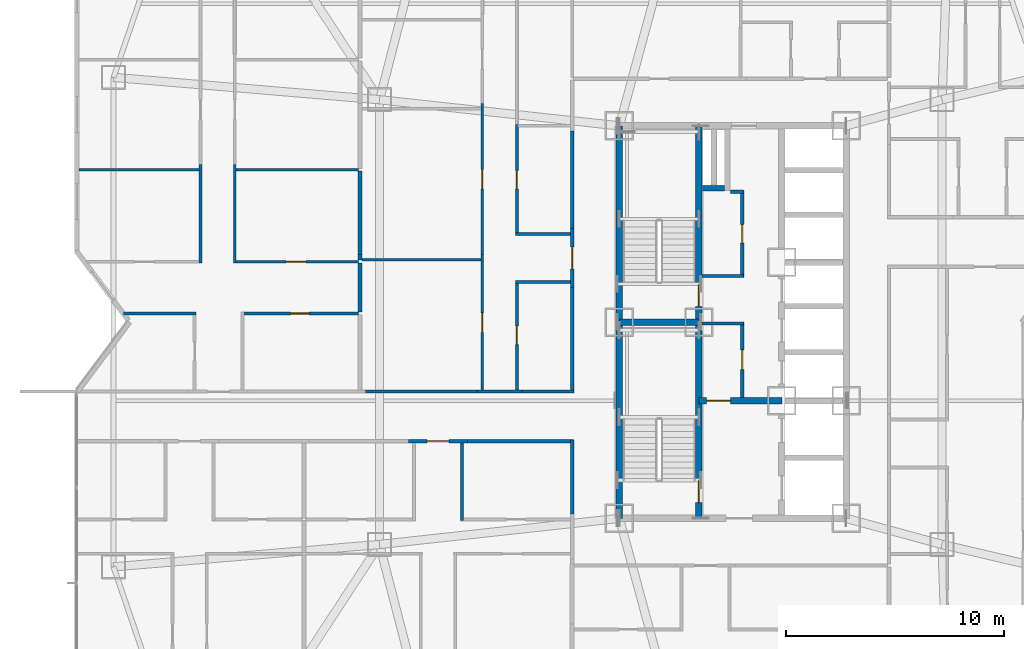
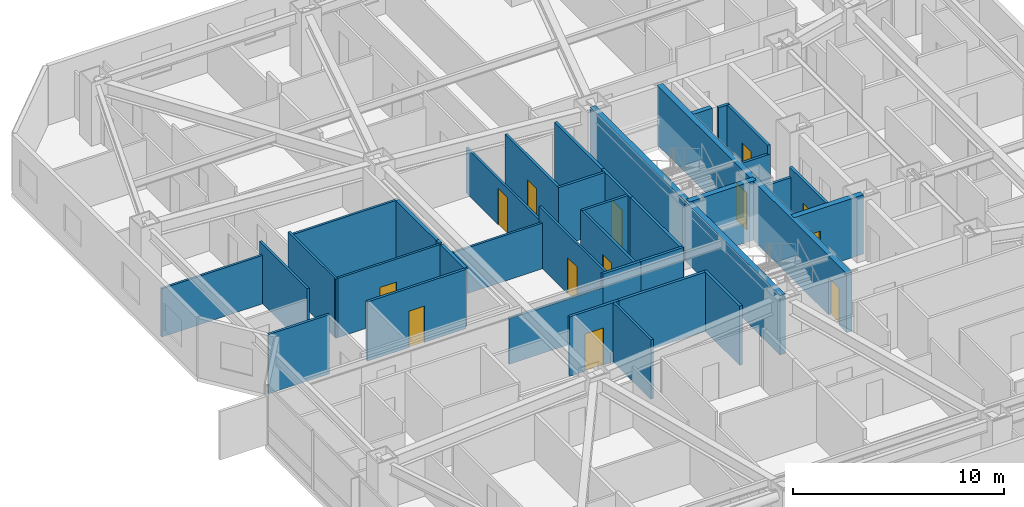
# One storey, part 13 of 19: 39 walls, 13 doors, 13 openings.
"""IFC4 building model written with IfcOpenShell, lengths in metres."""

from ifc_helpers import new_model, si_unit, direction, frame, frame_2d, origin, place, context, subcontext, project, spatial, rectangle, extrude, material, layer, layer_set, type_object, element, fill, save


model = new_model("IFC4")

# Units and contexts
model_context = context("Model", 3, precision=1e-05, world=origin(), true_north=direction((0.0, 1.0)))
body_context = subcontext(model_context, "Body", "Model", "MODEL_VIEW")
ifc_project = project(units=[si_unit("LENGTHUNIT", "METRE"), si_unit("AREAUNIT", "SQUARE_METRE"), si_unit("VOLUMEUNIT", "CUBIC_METRE"), si_unit("PLANEANGLEUNIT", "RADIAN"), si_unit("MASSUNIT", "GRAM", prefix="KILO")], contexts=[model_context])

# Site, building, storey
site_placement = place(None, origin())
site = spatial("IfcSite", under=ifc_project, at=site_placement, CompositionType="ELEMENT")
building_placement = place(site_placement, origin())
building = spatial("IfcBuilding", under=site, at=building_placement, Name="Khamvora Tower", CompositionType="ELEMENT")
storey_placement = place(building_placement, frame((0.0, 0.0, 58.85009765625)))
storey = spatial("IfcBuildingStorey", under=building, at=storey_placement, Name="L14", CompositionType="ELEMENT", Elevation=58.85009765625)

# Walls
ifc_material_1 = material(Name="Concrete C50/60", Category="concrete")
ifc_layer_1 = layer(ifc_material_1, 0.300048828125)
ifc_layer_set_1 = layer_set([ifc_layer_1], Name="Concrete C50/60")
wall_type_1 = type_object("IfcWallType", Name="WAL-CORE-300", PredefinedType="SHEAR", material=ifc_layer_set_1)
for number, where, z_axis, x_axis, name in (
    (1, (29.0, 19.0, 0.0), (0.0, 0.0, 1.0), (0.0, 1.0, 0.0), "L14 central core west south wall"),
    (2, (29.0, 28.0, 0.0), (0.0, 0.0, 1.0), (0.0, 1.0, 0.0), "L14 central core west north wall"),
):
    element("IfcWall", number, at=place(storey_placement, frame(where, z_axis=z_axis, x_axis=x_axis)), inside=storey, type_object=wall_type_1, Name=name, PredefinedType="SHEAR", context=body_context, shape_type="SweptSolid", body=[
        extrude(rectangle(XDim=9.0, YDim=0.300048828125, at=frame_2d((4.5, 0.0))), origin(), (0.0, 0.0, 1.0), 3.429931640625),
    ])

# Wall, opening, door
wall_1_placement = place(storey_placement, frame((32.64990234375, 19.0, 0.0), z_axis=(0.0, 0.0, 1.0), x_axis=(0.0, 1.0, 0.0)))
wall_1 = element("IfcWall", 3, at=wall_1_placement, inside=storey, type_object=wall_type_1, Name="L14 central core stair south spine wall", PredefinedType="SHEAR", context=body_context, shape_type="SweptSolid", body=[
    extrude(rectangle(XDim=9.0, YDim=0.300048828125, at=frame_2d((4.5, 0.0))), origin(), (0.0, 0.0, 1.0), 3.429931640625),
])
opening_1_placement = place(wall_1_placement, frame((0.719970703125, 0.0, 0.0)))
opening_1 = element("IfcOpeningElement", 4, at=opening_1_placement, cuts=wall_1, Name="Opening D-ST1", PredefinedType="OPENING", context=body_context, shape_type="SweptSolid", body=[
    extrude(rectangle(XDim=1.0, YDim=2.14990234375, at=frame_2d((0.5, 1.074951171875))), frame((0.0, 0.159912109375, 0.0), z_axis=(0.0, -1.0, 0.0), x_axis=(1.0, 0.0, 0.0)), (0.0, 0.0, 1.0), 0.320068359375),
])
ifc_material_2 = material(Name="Powder-Coated Steel and Hardwood Leaf", Category="steel")
door_type_1 = type_object("IfcDoorType", Name="DOR-STAIR-1000", OperationType="NOTDEFINED", PredefinedType="DOOR", material=ifc_material_2)
door_1_placement = place(opening_1_placement, origin())
door_1 = element("IfcDoor", 5, at=door_1_placement, inside=storey, type_object=door_type_1, Name="L14 exit stair ST-01 fire door", OperationType="SINGLE_SWING_RIGHT", OverallHeight=2.14990234375, OverallWidth=1.0, PredefinedType="DOOR", context=body_context, shape_type="SweptSolid", body=[
    extrude(rectangle(XDim=1.0, YDim=2.14990234375, at=frame_2d((0.5, 1.074951171875))), frame((0.0, 0.02490234375, 0.0), z_axis=(0.0, -1.0, 0.0), x_axis=(1.0, 0.0, 0.0)), (0.0, 0.0, 1.0), 0.050048828125),
])
fill(opening_1, door_1)

wall_2_placement = place(storey_placement, frame((32.64990234375, 28.0, 0.0), z_axis=(0.0, 0.0, 1.0), x_axis=(0.0, 1.0, 0.0)))
wall_2 = element("IfcWall", 6, at=wall_2_placement, inside=storey, type_object=wall_type_1, Name="L14 central core stair north spine wall", PredefinedType="SHEAR", context=body_context, shape_type="SweptSolid", body=[
    extrude(rectangle(XDim=9.0, YDim=0.300048828125, at=frame_2d((4.5, 0.0))), origin(), (0.0, 0.0, 1.0), 3.429931640625),
])
opening_2_placement = place(wall_2_placement, frame((0.719970703125, 0.0, 0.0)))
opening_2 = element("IfcOpeningElement", 7, at=opening_2_placement, cuts=wall_2, Name="Opening D-ST1", PredefinedType="OPENING", context=body_context, shape_type="SweptSolid", body=[
    extrude(rectangle(XDim=1.0, YDim=2.14990234375, at=frame_2d((0.5, 1.074951171875))), frame((0.0, 0.159912109375, 0.0), z_axis=(0.0, -1.0, 0.0), x_axis=(1.0, 0.0, 0.0)), (0.0, 0.0, 1.0), 0.320068359375),
])
door_2_placement = place(opening_2_placement, origin())
door_2 = element("IfcDoor", 8, at=door_2_placement, inside=storey, type_object=door_type_1, Name="L14 exit stair ST-02 fire door", OperationType="SINGLE_SWING_RIGHT", OverallHeight=2.14990234375, OverallWidth=1.0, PredefinedType="DOOR", context=body_context, shape_type="SweptSolid", body=[
    extrude(rectangle(XDim=1.0, YDim=2.14990234375, at=frame_2d((0.5, 1.074951171875))), frame((0.0, 0.02490234375, 0.0), z_axis=(0.0, -1.0, 0.0), x_axis=(1.0, 0.0, 0.0)), (0.0, 0.0, 1.0), 0.050048828125),
])
fill(opening_2, door_2)

# Wall
wall_3_placement = place(storey_placement, frame((29.0, 28.0, 0.0), z_axis=(0.0, 0.0, 1.0), x_axis=(1.0, 0.0, 0.0)))
element("IfcWall", 9, at=wall_3_placement, inside=storey, type_object=wall_type_1, Name="L14 central core stair cross wall", PredefinedType="SHEAR", context=body_context, shape_type="SweptSolid", body=[
    extrude(rectangle(XDim=3.64990234375, YDim=0.300048828125, at=frame_2d((1.824951171875, 0.0))), origin(), (0.0, 0.0, 1.0), 3.429931640625),
])

# Wall, opening, door
wall_4_placement = place(storey_placement, frame((32.64990234375, 24.39990234375, 0.0), z_axis=(0.0, 0.0, 1.0), x_axis=(1.0, 0.0, 0.0)))
wall_4 = element("IfcWall", 10, at=wall_4_placement, inside=storey, type_object=wall_type_1, Name="L14 central core firefighting lobby north wall", PredefinedType="SHEAR", context=body_context, shape_type="SweptSolid", body=[
    extrude(rectangle(XDim=3.800048828125, YDim=0.300048828125, at=frame_2d((1.89990234375, 0.0))), origin(), (0.0, 0.0, 1.0), 3.429931640625),
])
opening_3_placement = place(wall_4_placement, frame((0.35009765625, 0.0, 0.0)))
opening_3 = element("IfcOpeningElement", 11, at=opening_3_placement, cuts=wall_4, Name="Opening D-FF1", PredefinedType="OPENING", context=body_context, shape_type="SweptSolid", body=[
    extrude(rectangle(XDim=1.10009765625, YDim=2.14990234375, at=frame_2d((0.550048828125, 1.074951171875))), frame((0.0, 0.159912109375, 0.0), z_axis=(0.0, -1.0, 0.0), x_axis=(1.0, 0.0, 0.0)), (0.0, 0.0, 1.0), 0.320068359375),
])
door_type_2 = type_object("IfcDoorType", Name="DOR-FFLOB-1100", OperationType="NOTDEFINED", PredefinedType="DOOR", material=ifc_material_2)
door_3_placement = place(opening_3_placement, origin())
door_3 = element("IfcDoor", 12, at=door_3_placement, inside=storey, type_object=door_type_2, Name="L14 firefighting lobby smoke-seal fire door", OperationType="SINGLE_SWING_LEFT", OverallHeight=2.14990234375, OverallWidth=1.10009765625, PredefinedType="DOOR", context=body_context, shape_type="SweptSolid", body=[
    extrude(rectangle(XDim=1.10009765625, YDim=2.14990234375, at=frame_2d((0.550048828125, 1.074951171875))), frame((0.0, 0.02490234375, 0.0), z_axis=(0.0, -1.0, 0.0), x_axis=(1.0, 0.0, 0.0)), (0.0, 0.0, 1.0), 0.050048828125),
])
fill(opening_3, door_3)

# Wall
ifc_material_3 = material(Name="Fire-Rated Drywall and Steel Stud", Category="steel")
ifc_layer_2 = layer(ifc_material_3, 0.14990234375)
ifc_layer_set_2 = layer_set([ifc_layer_2], Name="Fire-Rated Drywall and Steel Stud")
wall_type_2 = type_object("IfcWallType", Name="WAL-CORR-150", PredefinedType="STANDARD", material=ifc_layer_set_2)
wall_5_placement = place(storey_placement, frame((32.7939453125, 30.114990234375, 0.0), z_axis=(0.0, 0.0, 1.0), x_axis=(1.0, 0.0, 0.0)))
element("IfcWall", 13, at=wall_5_placement, inside=storey, type_object=wall_type_2, Name="L14 interior partition wall 001", PredefinedType="STANDARD", context=body_context, shape_type="SweptSolid", body=[
    extrude(rectangle(XDim=1.906005859375, YDim=0.14990234375, at=frame_2d((0.953125, 0.0))), origin(), (0.0, 0.0, 1.0), 2.886962890625),
])

# Wall, opening, door
wall_6_placement = place(storey_placement, frame((34.635009765625, 30.052001953125, 0.0), z_axis=(0.0, 0.0, 1.0), x_axis=(0.0, 1.0, 0.0)))
wall_6 = element("IfcWall", 14, at=wall_6_placement, inside=storey, type_object=wall_type_2, Name="L14 interior partition wall 002", PredefinedType="STANDARD", context=body_context, shape_type="SweptSolid", body=[
    extrude(rectangle(XDim=3.988037109375, YDim=0.14990234375, at=frame_2d((1.994140625, 0.0))), origin(), (0.0, 0.0, 1.0), 3.429931640625),
])
opening_4_placement = place(wall_6_placement, frame((1.569091796875, 0.0, 0.0)))
opening_4 = element("IfcOpeningElement", 15, at=opening_4_placement, cuts=wall_6, Name="Opening D-WC1", PredefinedType="OPENING", context=body_context, shape_type="SweptSolid", body=[
    extrude(rectangle(XDim=0.85009765625, YDim=2.10009765625, at=frame_2d((0.425048828125, 1.050048828125))), frame((0.0, 0.0849609375, 0.0), z_axis=(0.0, -1.0, 0.0), x_axis=(1.0, 0.0, 0.0)), (0.0, 0.0, 1.0), 0.169921875),
])
door_type_3 = type_object("IfcDoorType", Name="DOR-WET-850", OperationType="NOTDEFINED", PredefinedType="DOOR", material=ifc_material_2)
door_4_placement = place(opening_4_placement, origin())
door_4 = element("IfcDoor", 16, at=door_4_placement, inside=storey, type_object=door_type_3, Name="L14 interior door PLL-CS1", OperationType="SINGLE_SWING_RIGHT", OverallHeight=2.10009765625, OverallWidth=0.85009765625, PredefinedType="DOOR", context=body_context, shape_type="SweptSolid", body=[
    extrude(rectangle(XDim=0.85009765625, YDim=2.10009765625, at=frame_2d((0.425048828125, 1.050048828125))), frame((0.0, 0.02490234375, 0.0), z_axis=(0.0, -1.0, 0.0), x_axis=(1.0, 0.0, 0.0)), (0.0, 0.0, 1.0), 0.050048828125),
])
fill(opening_4, door_4)

# Wall
wall_7_placement = place(storey_placement, frame((34.699951171875, 33.97509765625, 0.0), z_axis=(0.0, 0.0, 1.0), x_axis=(-1.0, 0.0, 0.0)))
element("IfcWall", 17, at=wall_7_placement, inside=storey, type_object=wall_type_2, Name="L14 interior partition wall 003", PredefinedType="STANDARD", context=body_context, shape_type="SweptSolid", body=[
    extrude(rectangle(XDim=0.599853515625, YDim=0.14990234375, at=frame_2d((0.2998046875, 0.0))), origin(), (0.0, 0.0, 1.0), 3.429931640625),
])

# Wall, opening, door
wall_8_placement = place(storey_placement, frame((34.635009765625, 24.5439453125, 0.0), z_axis=(0.0, 0.0, 1.0), x_axis=(0.0, 1.0, 0.0)))
wall_8 = element("IfcWall", 18, at=wall_8_placement, inside=storey, type_object=wall_type_2, Name="L14 interior partition wall 004", PredefinedType="STANDARD", context=body_context, shape_type="SweptSolid", body=[
    extrude(rectangle(XDim=3.4560546875, YDim=0.14990234375, at=frame_2d((1.72802734375, 0.0))), origin(), (0.0, 0.0, 1.0), 3.429931640625),
])
opening_5_placement = place(wall_8_placement, frame((1.278076171875, 0.0, 0.0)))
opening_5 = element("IfcOpeningElement", 19, at=opening_5_placement, cuts=wall_8, Name="Opening D-RM1", PredefinedType="OPENING", context=body_context, shape_type="SweptSolid", body=[
    extrude(rectangle(XDim=0.89990234375, YDim=2.10009765625, at=frame_2d((0.449951171875, 1.050048828125))), frame((0.0, 0.0849609375, 0.0), z_axis=(0.0, -1.0, 0.0), x_axis=(1.0, 0.0, 0.0)), (0.0, 0.0, 1.0), 0.169921875),
])
door_type_4 = type_object("IfcDoorType", Name="DOR-ROOM-900", OperationType="NOTDEFINED", PredefinedType="DOOR", material=ifc_material_2)
door_5_placement = place(opening_5_placement, origin())
door_5 = element("IfcDoor", 20, at=door_5_placement, inside=storey, type_object=door_type_4, Name="L14 interior door PLL-CS2", OperationType="SINGLE_SWING_LEFT", OverallHeight=2.10009765625, OverallWidth=0.89990234375, PredefinedType="DOOR", context=body_context, shape_type="SweptSolid", body=[
    extrude(rectangle(XDim=0.89990234375, YDim=2.10009765625, at=frame_2d((0.449951171875, 1.050048828125))), frame((0.0, 0.02490234375, 0.0), z_axis=(0.0, -1.0, 0.0), x_axis=(1.0, 0.0, 0.0)), (0.0, 0.0, 1.0), 0.050048828125),
])
fill(opening_5, door_5)

# Wall
wall_9_placement = place(storey_placement, frame((34.699951171875, 27.93505859375, 0.0), z_axis=(0.0, 0.0, 1.0), x_axis=(-1.0, 0.0, 0.0)))
element("IfcWall", 21, at=wall_9_placement, inside=storey, type_object=wall_type_2, Name="L14 interior partition wall 005", PredefinedType="STANDARD", context=body_context, shape_type="SweptSolid", body=[
    extrude(rectangle(XDim=1.906005859375, YDim=0.14990234375, at=frame_2d((0.953125, 0.0))), origin(), (0.0, 0.0, 1.0), 2.886962890625),
])

# Wall, opening, door
wall_10_placement = place(storey_placement, frame((22.032958984375, 22.534912109375, 0.0), z_axis=(0.0, 0.0, 1.0), x_axis=(-1.0, 0.0, 0.0)))
wall_10 = element("IfcWall", 22, at=wall_10_placement, inside=storey, type_object=wall_type_2, Name="L14 interior partition wall 011", PredefinedType="STANDARD", context=body_context, shape_type="SweptSolid", body=[
    extrude(rectangle(XDim=2.697998046875, YDim=0.14990234375, at=frame_2d((1.34912109375, 0.0))), origin(), (0.0, 0.0, 1.0), 3.429931640625),
])
opening_6_placement = place(wall_10_placement, frame((0.84912109375, 0.0, 0.0)))
opening_6 = element("IfcOpeningElement", 23, at=opening_6_placement, cuts=wall_10, Name="Opening D-U1", PredefinedType="OPENING", context=body_context, shape_type="SweptSolid", body=[
    extrude(rectangle(XDim=1.0, YDim=2.14990234375, at=frame_2d((0.5, 1.074951171875))), frame((0.0, 0.0849609375, 0.0), z_axis=(0.0, -1.0, 0.0), x_axis=(1.0, 0.0, 0.0)), (0.0, 0.0, 1.0), 0.169921875),
])
door_type_5 = type_object("IfcDoorType", Name="DOR-UNIT-1000", OperationType="NOTDEFINED", PredefinedType="DOOR", material=ifc_material_2)
door_6_placement = place(opening_6_placement, origin())
door_6 = element("IfcDoor", 24, at=door_6_placement, inside=storey, type_object=door_type_5, Name="L14 interior door COR-14WA2H", OperationType="SINGLE_SWING_RIGHT", OverallHeight=2.14990234375, OverallWidth=1.0, PredefinedType="DOOR", context=body_context, shape_type="SweptSolid", body=[
    extrude(rectangle(XDim=1.0, YDim=2.14990234375, at=frame_2d((0.5, 1.074951171875))), frame((0.0, 0.02490234375, 0.0), z_axis=(0.0, -1.0, 0.0), x_axis=(1.0, 0.0, 0.0)), (0.0, 0.0, 1.0), 0.050048828125),
])
fill(opening_6, door_6)

# Walls
wall_11_placement = place(storey_placement, frame((26.8349609375, 19.2041015625, 0.0), z_axis=(0.0, 0.0, 1.0), x_axis=(0.0, 1.0, 0.0)))
element("IfcWall", 25, at=wall_11_placement, inside=storey, type_object=wall_type_2, Name="L14 interior partition wall 012", PredefinedType="STANDARD", context=body_context, shape_type="SweptSolid", body=[
    extrude(rectangle(XDim=3.39599609375, YDim=0.14990234375, at=frame_2d((1.697998046875, 0.0))), origin(), (0.0, 0.0, 1.0), 3.429931640625),
])
wall_12_placement = place(storey_placement, frame((26.89794921875, 22.534912109375, 0.0), z_axis=(0.0, 0.0, 1.0), x_axis=(-1.0, 0.0, 0.0)))
element("IfcWall", 26, at=wall_12_placement, inside=storey, type_object=wall_type_2, Name="L14 interior partition wall 013", PredefinedType="STANDARD", context=body_context, shape_type="SweptSolid", body=[
    extrude(rectangle(XDim=4.864990234375, YDim=0.14990234375, at=frame_2d((2.4326171875, 0.0))), origin(), (0.0, 0.0, 1.0), 3.429931640625),
])

# Wall, opening, door
wall_13_placement = place(storey_placement, frame((26.8349609375, 29.592041015625, 0.0), z_axis=(0.0, 0.0, 1.0), x_axis=(0.0, 1.0, 0.0)))
wall_13 = element("IfcWall", 27, at=wall_13_placement, inside=storey, type_object=wall_type_2, Name="L14 interior partition wall 020", PredefinedType="STANDARD", context=body_context, shape_type="SweptSolid", body=[
    extrude(rectangle(XDim=2.697998046875, YDim=0.14990234375, at=frame_2d((1.34912109375, 0.0))), origin(), (0.0, 0.0, 1.0), 3.429931640625),
])
opening_7_placement = place(wall_13_placement, frame((0.84912109375, 0.0, 0.0)))
opening_7 = element("IfcOpeningElement", 28, at=opening_7_placement, cuts=wall_13, Name="Opening D-U1", PredefinedType="OPENING", context=body_context, shape_type="SweptSolid", body=[
    extrude(rectangle(XDim=1.0, YDim=2.14990234375, at=frame_2d((0.5, 1.074951171875))), frame((0.0, 0.0849609375, 0.0), z_axis=(0.0, -1.0, 0.0), x_axis=(1.0, 0.0, 0.0)), (0.0, 0.0, 1.0), 0.169921875),
])
door_7_placement = place(opening_7_placement, origin())
door_7 = element("IfcDoor", 29, at=door_7_placement, inside=storey, type_object=door_type_5, Name="L14 interior door COR-14WCH", OperationType="SINGLE_SWING_RIGHT", OverallHeight=2.14990234375, OverallWidth=1.0, PredefinedType="DOOR", context=body_context, shape_type="SweptSolid", body=[
    extrude(rectangle(XDim=1.0, YDim=2.14990234375, at=frame_2d((0.5, 1.074951171875))), frame((0.0, 0.02490234375, 0.0), z_axis=(0.0, -1.0, 0.0), x_axis=(1.0, 0.0, 0.0)), (0.0, 0.0, 1.0), 0.050048828125),
])
fill(opening_7, door_7)

# Walls
wall_14_placement = place(storey_placement, frame((22.468017578125, 24.81494140625, 0.0), z_axis=(0.0, 0.0, 1.0), x_axis=(1.0, 0.0, 0.0)))
element("IfcWall", 30, at=wall_14_placement, inside=storey, type_object=wall_type_2, Name="L14 interior partition wall 021", PredefinedType="STANDARD", context=body_context, shape_type="SweptSolid", body=[
    extrude(rectangle(XDim=2.077880859375, YDim=0.14990234375, at=frame_2d((1.0390625, 0.0))), origin(), (0.0, 0.0, 1.0), 3.429931640625),
])
wall_15_placement = place(storey_placement, frame((26.8349609375, 32.2900390625, 0.0), z_axis=(0.0, 0.0, 1.0), x_axis=(0.0, 1.0, 0.0)))
element("IfcWall", 31, at=wall_15_placement, inside=storey, type_object=wall_type_2, Name="L14 interior partition wall 022", PredefinedType="STANDARD", context=body_context, shape_type="SweptSolid", body=[
    extrude(rectangle(XDim=4.467041015625, YDim=0.14990234375, at=frame_2d((2.2333984375, 0.0))), origin(), (0.0, 0.0, 1.0), 3.429931640625),
])
wall_16_placement = place(storey_placement, frame((26.8349609375, 24.75, 0.0), z_axis=(0.0, 0.0, 1.0), x_axis=(0.0, 1.0, 0.0)))
element("IfcWall", 32, at=wall_16_placement, inside=storey, type_object=wall_type_2, Name="L14 interior partition wall 023", PredefinedType="STANDARD", context=body_context, shape_type="SweptSolid", body=[
    extrude(rectangle(XDim=4.842041015625, YDim=0.14990234375, at=frame_2d((2.4208984375, 0.0))), origin(), (0.0, 0.0, 1.0), 3.429931640625),
])
wall_17_placement = place(storey_placement, frame((24.5458984375, 24.81494140625, 0.0), z_axis=(0.0, 0.0, 1.0), x_axis=(1.0, 0.0, 0.0)))
element("IfcWall", 33, at=wall_17_placement, inside=storey, type_object=wall_type_2, Name="L14 interior partition wall 024", PredefinedType="STANDARD", context=body_context, shape_type="SweptSolid", body=[
    extrude(rectangle(XDim=2.35205078125, YDim=0.14990234375, at=frame_2d((1.176025390625, 0.0))), origin(), (0.0, 0.0, 1.0), 3.429931640625),
])
wall_18_placement = place(storey_placement, frame((17.35400390625, 24.81494140625, 0.0), z_axis=(0.0, 0.0, 1.0), x_axis=(1.0, 0.0, 0.0)))
element("IfcWall", 34, at=wall_18_placement, inside=storey, type_object=wall_type_2, Name="L14 interior partition wall 025", PredefinedType="STANDARD", context=body_context, shape_type="SweptSolid", body=[
    extrude(rectangle(XDim=5.114013671875, YDim=0.14990234375, at=frame_2d((2.55712890625, 0.0))), origin(), (0.0, 0.0, 1.0), 2.64697265625),
])
ifc_material_4 = material(Name="Acoustic Double-Stud Fire Wall", Category="gypsum")
ifc_layer_3 = layer(ifc_material_4, 0.179931640625)
ifc_layer_set_3 = layer_set([ifc_layer_3], Name="Acoustic Double-Stud Fire Wall")
wall_type_3 = type_object("IfcWallType", Name="WAL-CORR-180", PredefinedType="STANDARD", material=ifc_layer_set_3)
wall_19_placement = place(storey_placement, frame((17.10498046875, 30.7099609375, 0.0), z_axis=(0.0, 0.0, 1.0), x_axis=(0.0, -1.0, 0.0)))
element("IfcWall", 35, at=wall_19_placement, inside=storey, type_object=wall_type_3, Name="L14 interior partition wall 093", PredefinedType="STANDARD", context=body_context, shape_type="SweptSolid", body=[
    extrude(rectangle(XDim=2.25, YDim=0.179931640625, at=frame_2d((1.125, 0.0))), origin(), (0.0, 0.0, 1.0), 3.429931640625),
])
wall_20_placement = place(storey_placement, frame((17.10498046875, 31.10791015625, 0.0), z_axis=(0.0, 0.0, 1.0), x_axis=(0.0, -1.0, 0.0)))
element("IfcWall", 36, at=wall_20_placement, inside=storey, type_object=wall_type_3, Name="L14 interior partition wall 099", PredefinedType="STANDARD", context=body_context, shape_type="SweptSolid", body=[
    extrude(rectangle(XDim=0.267822265625, YDim=0.179931640625, at=frame_2d((0.1337890625, 0.0))), origin(), (0.0, 0.0, 1.0), 3.429931640625),
])
wall_21_placement = place(storey_placement, frame((17.10498046875, 34.919921875, 0.0), z_axis=(0.0, 0.0, 1.0), x_axis=(0.0, -1.0, 0.0)))
element("IfcWall", 37, at=wall_21_placement, inside=storey, type_object=wall_type_3, Name="L14 interior partition wall 100", PredefinedType="STANDARD", context=body_context, shape_type="SweptSolid", body=[
    extrude(rectangle(XDim=3.81201171875, YDim=0.179931640625, at=frame_2d((1.906005859375, 0.0))), origin(), (0.0, 0.0, 1.0), 3.429931640625),
])
ifc_material_5 = material(Name="Gypsum Plasterboard Partition", Category="gypsum")
ifc_layer_4 = layer(ifc_material_5, 0.1201171875)
ifc_layer_set_4 = layer_set([ifc_layer_4], Name="Gypsum Plasterboard Partition")
wall_type_4 = type_object("IfcWallType", Name="WAL-PART-120", PredefinedType="PARTITIONING", material=ifc_layer_set_4)
for number, where, z_axis, x_axis, name in (
    (38, (9.7900390625, 30.7099609375, 0.0), (0.0, 0.0, 1.0), (0.0, 1.0, 0.0), "L14 interior partition wall 083"),
    (39, (11.360107421875, 35.23388671875, 0.0), (0.0, 0.0, 1.0), (0.0, -1.0, 0.0), "L14 interior partition wall 088"),
):
    element("IfcWall", number, at=place(storey_placement, frame(where, z_axis=z_axis, x_axis=x_axis)), inside=storey, type_object=wall_type_4, Name=name, PredefinedType="PARTITIONING", context=body_context, shape_type="SweptSolid", body=[
        extrude(rectangle(XDim=4.52392578125, YDim=0.1201171875, at=frame_2d((2.261962890625, 0.0))), origin(), (0.0, 0.0, 1.0), 3.429931640625),
    ])

# Wall, opening, door
wall_22_placement = place(storey_placement, frame((11.294921875, 30.77490234375, 0.0), z_axis=(0.0, 0.0, 1.0), x_axis=(1.0, 0.0, 0.0)))
wall_22 = element("IfcWall", 40, at=wall_22_placement, inside=storey, type_object=wall_type_4, Name="L14 interior partition wall 089", PredefinedType="PARTITIONING", context=body_context, shape_type="SweptSolid", body=[
    extrude(rectangle(XDim=5.7451171875, YDim=0.1201171875, at=frame_2d((2.87255859375, 0.0))), origin(), (0.0, 0.0, 1.0), 3.429931640625),
])
opening_8_placement = place(wall_22_placement, frame((2.422119140625, 0.0, 0.0)))
opening_8 = element("IfcOpeningElement", 41, at=opening_8_placement, cuts=wall_22, Name="Opening D-RM1", PredefinedType="OPENING", context=body_context, shape_type="SweptSolid", body=[
    extrude(rectangle(XDim=0.89990234375, YDim=2.10009765625, at=frame_2d((0.449951171875, 1.050048828125))), frame((0.0, 0.070068359375, 0.0), z_axis=(0.0, -1.0, 0.0), x_axis=(1.0, 0.0, 0.0)), (0.0, 0.0, 1.0), 0.14013671875),
])
door_8_placement = place(opening_8_placement, origin())
door_8 = element("IfcDoor", 42, at=door_8_placement, inside=storey, type_object=door_type_4, Name="L14 interior door 14WBH-14WBR5", OperationType="SINGLE_SWING_RIGHT", OverallHeight=2.10009765625, OverallWidth=0.89990234375, PredefinedType="DOOR", context=body_context, shape_type="SweptSolid", body=[
    extrude(rectangle(XDim=0.89990234375, YDim=2.10009765625, at=frame_2d((0.449951171875, 1.050048828125))), frame((0.0, 0.02490234375, 0.0), z_axis=(0.0, -1.0, 0.0), x_axis=(1.0, 0.0, 0.0)), (0.0, 0.0, 1.0), 0.050048828125),
])
fill(opening_8, door_8)

# Walls
wall_23_placement = place(storey_placement, frame((4.2119140625, 34.985107421875, 0.0), z_axis=(0.0, 0.0, 1.0), x_axis=(1.0, 0.0, 0.0)))
element("IfcWall", 43, at=wall_23_placement, inside=storey, type_object=wall_type_4, Name="L14 interior partition wall 095", PredefinedType="PARTITIONING", context=body_context, shape_type="SweptSolid", body=[
    extrude(rectangle(XDim=5.524169921875, YDim=0.1201171875, at=frame_2d((2.76220703125, 0.0))), origin(), (0.0, 0.0, 1.0), 2.802978515625),
])
wall_24_placement = place(storey_placement, frame((11.4140625, 34.985107421875, 0.0), z_axis=(0.0, 0.0, 1.0), x_axis=(1.0, 0.0, 0.0)))
element("IfcWall", 44, at=wall_24_placement, inside=storey, type_object=wall_type_4, Name="L14 interior partition wall 098", PredefinedType="PARTITIONING", context=body_context, shape_type="SweptSolid", body=[
    extrude(rectangle(XDim=5.6259765625, YDim=0.1201171875, at=frame_2d((2.81298828125, 0.0))), origin(), (0.0, 0.0, 1.0), 3.429931640625),
])

# Wall, opening, door
wall_25_placement = place(storey_placement, frame((22.717041015625, 24.882080078125, 0.0), z_axis=(0.0, 0.0, 1.0), x_axis=(0.0, 1.0, 0.0)))
wall_25 = element("IfcWall", 45, at=wall_25_placement, inside=storey, type_object=wall_type_4, Name="L14 interior partition wall 115", PredefinedType="PARTITIONING", context=body_context, shape_type="SweptSolid", body=[
    extrude(rectangle(XDim=6.225830078125, YDim=0.1201171875, at=frame_2d((3.11279296875, 0.0))), origin(), (0.0, 0.0, 1.0), 3.429931640625),
])
opening_9_placement = place(wall_25_placement, frame((2.64208984375, 0.0, 0.0)))
opening_9 = element("IfcOpeningElement", 46, at=opening_9_placement, cuts=wall_25, Name="Opening D-RM1", PredefinedType="OPENING", context=body_context, shape_type="SweptSolid", body=[
    extrude(rectangle(XDim=0.89990234375, YDim=2.10009765625, at=frame_2d((0.449951171875, 1.050048828125))), frame((0.0, 0.070068359375, 0.0), z_axis=(0.0, -1.0, 0.0), x_axis=(1.0, 0.0, 0.0)), (0.0, 0.0, 1.0), 0.14013671875),
])
door_9_placement = place(opening_9_placement, origin())
door_9 = element("IfcDoor", 47, at=door_9_placement, inside=storey, type_object=door_type_4, Name="L14 interior door 14WCH-14WCL", OperationType="SINGLE_SWING_LEFT", OverallHeight=2.10009765625, OverallWidth=0.89990234375, PredefinedType="DOOR", context=body_context, shape_type="SweptSolid", body=[
    extrude(rectangle(XDim=0.89990234375, YDim=2.10009765625, at=frame_2d((0.449951171875, 1.050048828125))), frame((0.0, 0.02490234375, 0.0), z_axis=(0.0, -1.0, 0.0), x_axis=(1.0, 0.0, 0.0)), (0.0, 0.0, 1.0), 0.050048828125),
])
fill(opening_9, door_9)

wall_26_placement = place(storey_placement, frame((22.717041015625, 31.10791015625, 0.0), z_axis=(0.0, 0.0, 1.0), x_axis=(0.0, 1.0, 0.0)))
wall_26 = element("IfcWall", 48, at=wall_26_placement, inside=storey, type_object=wall_type_4, Name="L14 interior partition wall 116", PredefinedType="PARTITIONING", context=body_context, shape_type="SweptSolid", body=[
    extrude(rectangle(XDim=6.921142578125, YDim=0.1201171875, at=frame_2d((3.46044921875, 0.0))), origin(), (0.0, 0.0, 1.0), 2.64697265625),
])
opening_10_placement = place(wall_26_placement, frame((2.989013671875, 0.0, 0.0)))
opening_10 = element("IfcOpeningElement", 49, at=opening_10_placement, cuts=wall_26, Name="Opening D-RM1", PredefinedType="OPENING", context=body_context, shape_type="SweptSolid", body=[
    extrude(rectangle(XDim=0.89990234375, YDim=2.10009765625, at=frame_2d((0.449951171875, 1.050048828125))), frame((0.0, 0.070068359375, 0.0), z_axis=(0.0, -1.0, 0.0), x_axis=(1.0, 0.0, 0.0)), (0.0, 0.0, 1.0), 0.14013671875),
])
door_10_placement = place(opening_10_placement, origin())
door_10 = element("IfcDoor", 50, at=door_10_placement, inside=storey, type_object=door_type_4, Name="L14 interior door 14WCH-14WCR2", OperationType="SINGLE_SWING_RIGHT", OverallHeight=2.10009765625, OverallWidth=0.89990234375, PredefinedType="DOOR", context=body_context, shape_type="SweptSolid", body=[
    extrude(rectangle(XDim=0.89990234375, YDim=2.10009765625, at=frame_2d((0.449951171875, 1.050048828125))), frame((0.0, 0.02490234375, 0.0), z_axis=(0.0, -1.0, 0.0), x_axis=(1.0, 0.0, 0.0)), (0.0, 0.0, 1.0), 0.050048828125),
])
fill(opening_10, door_10)

# Walls
wall_27_placement = place(storey_placement, frame((17.18701171875, 30.85888671875, 0.0), z_axis=(0.0, 0.0, 1.0), x_axis=(1.0, 0.0, 0.0)))
element("IfcWall", 51, at=wall_27_placement, inside=storey, type_object=wall_type_4, Name="L14 interior partition wall 120", PredefinedType="PARTITIONING", context=body_context, shape_type="SweptSolid", body=[
    extrude(rectangle(XDim=5.47607421875, YDim=0.1201171875, at=frame_2d((2.738037109375, 0.0))), origin(), (0.0, 0.0, 1.0), 2.64697265625),
])
ifc_material_6 = material(Name="Concrete C40/50", Category="concrete")
ifc_layer_5 = layer(ifc_material_6, 0.25)
ifc_layer_set_5 = layer_set([ifc_layer_5], Name="Concrete C40/50")
wall_type_5 = type_object("IfcWallType", Name="WAL-PODS-250", PredefinedType="SHEAR", material=ifc_layer_set_5)
wall_28_placement = place(storey_placement, frame((32.803955078125, 34.14990234375, 0.0), z_axis=(0.0, 0.0, 1.0), x_axis=(1.0, 0.0, 0.0)))
element("IfcWall", 52, at=wall_28_placement, inside=storey, type_object=wall_type_5, Name="L14 vertical MEP riser shaft south enclosure wall", PredefinedType="SHEAR", context=body_context, shape_type="SweptSolid", body=[
    extrude(rectangle(XDim=1.02197265625, YDim=0.25, at=frame_2d((0.510986328125, 0.0))), origin(), (0.0, 0.0, 1.0), 3.429931640625),
])
ifc_material_7 = material(Name="Moisture-Resistant Plasterboard Partition", Category="gypsum")
ifc_layer_6 = layer(ifc_material_7, 0.135009765625)
ifc_layer_set_6 = layer_set([ifc_layer_6], Name="Moisture-Resistant Plasterboard Partition")
wall_type_6 = type_object("IfcWallType", Name="WAL-WET-135", PredefinedType="PARTITIONING", material=ifc_layer_set_6)
wall_29_placement = place(storey_placement, frame((21.783935546875, 22.469970703125, 0.0), z_axis=(0.0, 0.0, 1.0), x_axis=(0.0, -1.0, 0.0)))
element("IfcWall", 53, at=wall_29_placement, inside=storey, type_object=wall_type_6, Name="L14 interior partition wall 063", PredefinedType="PARTITIONING", context=body_context, shape_type="SweptSolid", body=[
    extrude(rectangle(XDim=3.580078125, YDim=0.135009765625, at=frame_2d((1.7900390625, 0.0))), origin(), (0.0, 0.0, 1.0), 3.429931640625),
])
wall_30_placement = place(storey_placement, frame((9.583984375, 28.39501953125, 0.0), z_axis=(0.0, 0.0, 1.0), x_axis=(-1.0, 0.0, 0.0)))
element("IfcWall", 54, at=wall_30_placement, inside=storey, type_object=wall_type_6, Name="L14 interior partition wall 080", PredefinedType="PARTITIONING", context=body_context, shape_type="SweptSolid", body=[
    extrude(rectangle(XDim=3.330078125, YDim=0.135009765625, at=frame_2d((1.6650390625, 0.0))), origin(), (0.0, 0.0, 1.0), 3.429931640625),
])

# Wall, opening, door
wall_31_placement = place(storey_placement, frame((17.0400390625, 28.39501953125, 0.0), z_axis=(0.0, 0.0, 1.0), x_axis=(-1.0, 0.0, 0.0)))
wall_31 = element("IfcWall", 55, at=wall_31_placement, inside=storey, type_object=wall_type_6, Name="L14 interior partition wall 081", PredefinedType="PARTITIONING", context=body_context, shape_type="SweptSolid", body=[
    extrude(rectangle(XDim=5.385986328125, YDim=0.135009765625, at=frame_2d((2.69287109375, 0.0))), origin(), (0.0, 0.0, 1.0), 3.429931640625),
])
opening_11_placement = place(wall_31_placement, frame((2.26806640625, 0.0, 0.0)))
opening_11 = element("IfcOpeningElement", 56, at=opening_11_placement, cuts=wall_31, Name="Opening D-RM2", PredefinedType="OPENING", context=body_context, shape_type="SweptSolid", body=[
    extrude(rectangle(XDim=0.85009765625, YDim=2.10009765625, at=frame_2d((0.425048828125, 1.050048828125))), frame((0.0, 0.077392578125, 0.0), z_axis=(0.0, -1.0, 0.0), x_axis=(1.0, 0.0, 0.0)), (0.0, 0.0, 1.0), 0.155029296875),
])
door_type_6 = type_object("IfcDoorType", Name="DOR-ROOM-850", OperationType="NOTDEFINED", PredefinedType="DOOR", material=ifc_material_2)
door_11_placement = place(opening_11_placement, origin())
door_11 = element("IfcDoor", 57, at=door_11_placement, inside=storey, type_object=door_type_6, Name="L14 interior door 14WBH-14WBK", OperationType="SINGLE_SWING_LEFT", OverallHeight=2.10009765625, OverallWidth=0.85009765625, PredefinedType="DOOR", context=body_context, shape_type="SweptSolid", body=[
    extrude(rectangle(XDim=0.85009765625, YDim=2.10009765625, at=frame_2d((0.425048828125, 1.050048828125))), frame((0.0, 0.02490234375, 0.0), z_axis=(0.0, -1.0, 0.0), x_axis=(1.0, 0.0, 0.0)), (0.0, 0.0, 1.0), 0.050048828125),
])
fill(opening_11, door_11)

wall_32_placement = place(storey_placement, frame((24.297119140625, 37.071044921875, 0.0), z_axis=(0.0, 0.0, 1.0), x_axis=(0.0, -1.0, 0.0)))
wall_32 = element("IfcWall", 58, at=wall_32_placement, inside=storey, type_object=wall_type_6, Name="L14 interior partition wall 111", PredefinedType="PARTITIONING", context=body_context, shape_type="SweptSolid", body=[
    extrude(rectangle(XDim=5.094970703125, YDim=0.135009765625, at=frame_2d((2.54736328125, 0.0))), origin(), (0.0, 0.0, 1.0), 3.429931640625),
])
opening_12_placement = place(wall_32_placement, frame((2.123046875, 0.0, 0.0)))
opening_12 = element("IfcOpeningElement", 59, at=opening_12_placement, cuts=wall_32, Name="Opening D-WC1", PredefinedType="OPENING", context=body_context, shape_type="SweptSolid", body=[
    extrude(rectangle(XDim=0.85009765625, YDim=2.10009765625, at=frame_2d((0.425048828125, 1.050048828125))), frame((0.0, 0.077392578125, 0.0), z_axis=(0.0, -1.0, 0.0), x_axis=(1.0, 0.0, 0.0)), (0.0, 0.0, 1.0), 0.155029296875),
])
door_12_placement = place(opening_12_placement, origin())
door_12 = element("IfcDoor", 60, at=door_12_placement, inside=storey, type_object=door_type_3, Name="L14 interior door 14WCH-14WCB", OperationType="SINGLE_SWING_LEFT", OverallHeight=2.10009765625, OverallWidth=0.85009765625, PredefinedType="DOOR", context=body_context, shape_type="SweptSolid", body=[
    extrude(rectangle(XDim=0.85009765625, YDim=2.10009765625, at=frame_2d((0.425048828125, 1.050048828125))), frame((0.0, 0.02490234375, 0.0), z_axis=(0.0, -1.0, 0.0), x_axis=(1.0, 0.0, 0.0)), (0.0, 0.0, 1.0), 0.050048828125),
])
fill(opening_12, door_12)

# Walls
for number, where, z_axis, x_axis, name in (
    (61, (24.23193359375, 32.041015625, 0.0), (0.0, 0.0, 1.0), (1.0, 0.0, 0.0), "L14 interior partition wall 112"),
    (62, (26.77001953125, 29.841064453125, 0.0), (0.0, 0.0, 1.0), (-1.0, 0.0, 0.0), "L14 interior partition wall 113"),
):
    element("IfcWall", number, at=place(storey_placement, frame(where, z_axis=z_axis, x_axis=x_axis)), inside=storey, type_object=wall_type_6, Name=name, PredefinedType="PARTITIONING", context=body_context, shape_type="SweptSolid", body=[
        extrude(rectangle(XDim=2.5380859375, YDim=0.135009765625, at=frame_2d((1.26904296875, 0.0))), origin(), (0.0, 0.0, 1.0), 3.429931640625),
    ])

# Wall, opening, door
wall_33_placement = place(storey_placement, frame((24.297119140625, 29.906005859375, 0.0), z_axis=(0.0, 0.0, 1.0), x_axis=(0.0, -1.0, 0.0)))
wall_33 = element("IfcWall", 63, at=wall_33_placement, inside=storey, type_object=wall_type_6, Name="L14 interior partition wall 114", PredefinedType="PARTITIONING", context=body_context, shape_type="SweptSolid", body=[
    extrude(rectangle(XDim=5.02392578125, YDim=0.135009765625, at=frame_2d((2.511962890625, 0.0))), origin(), (0.0, 0.0, 1.0), 3.429931640625),
])
opening_13_placement = place(wall_33_placement, frame((2.0869140625, 0.0, 0.0)))
opening_13 = element("IfcOpeningElement", 64, at=opening_13_placement, cuts=wall_33, Name="Opening D-RM2", PredefinedType="OPENING", context=body_context, shape_type="SweptSolid", body=[
    extrude(rectangle(XDim=0.85009765625, YDim=2.10009765625, at=frame_2d((0.425048828125, 1.050048828125))), frame((0.0, 0.077392578125, 0.0), z_axis=(0.0, -1.0, 0.0), x_axis=(1.0, 0.0, 0.0)), (0.0, 0.0, 1.0), 0.155029296875),
])
door_13_placement = place(opening_13_placement, origin())
door_13 = element("IfcDoor", 65, at=door_13_placement, inside=storey, type_object=door_type_6, Name="L14 interior door 14WCH-14WCK", OperationType="SINGLE_SWING_RIGHT", OverallHeight=2.10009765625, OverallWidth=0.85009765625, PredefinedType="DOOR", context=body_context, shape_type="SweptSolid", body=[
    extrude(rectangle(XDim=0.85009765625, YDim=2.10009765625, at=frame_2d((0.425048828125, 1.050048828125))), frame((0.0, 0.02490234375, 0.0), z_axis=(0.0, -1.0, 0.0), x_axis=(1.0, 0.0, 0.0)), (0.0, 0.0, 1.0), 0.050048828125),
])
fill(opening_13, door_13)

save(model, "model.ifc")
